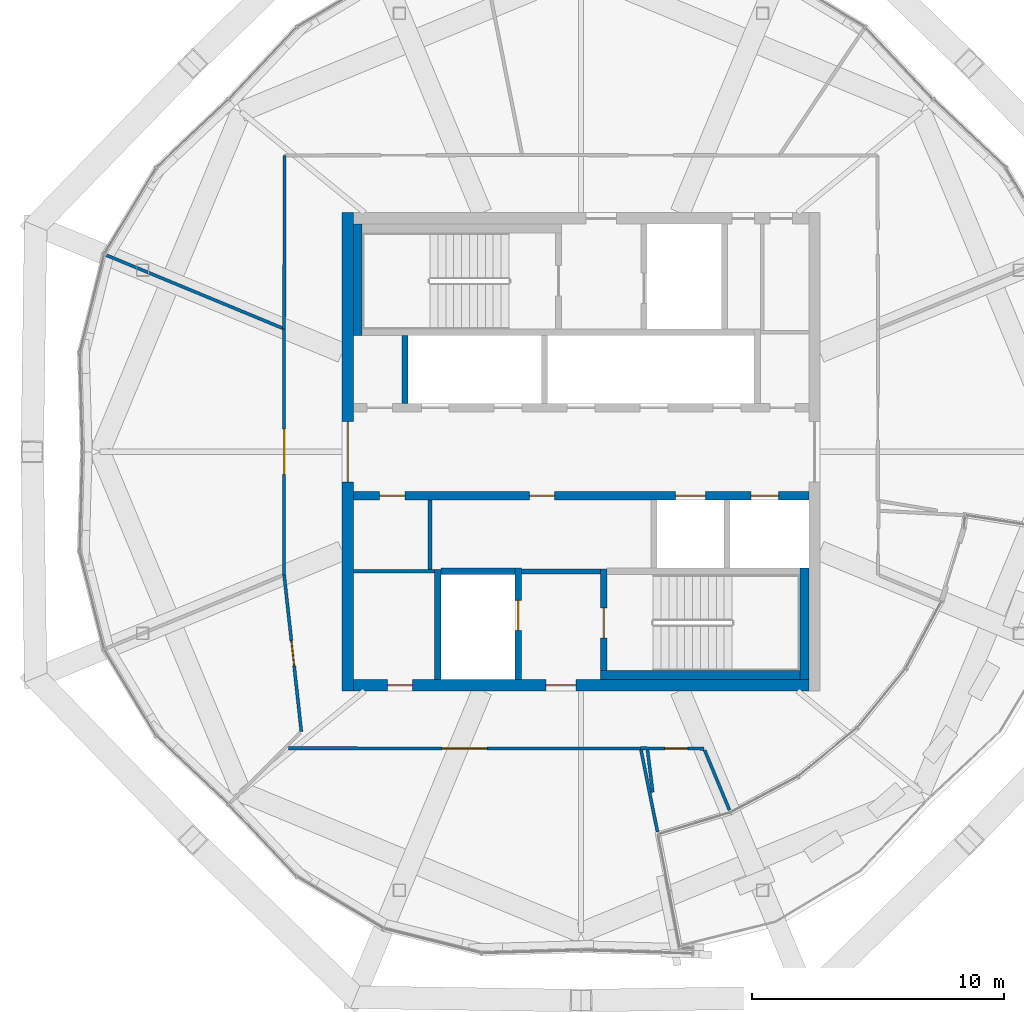
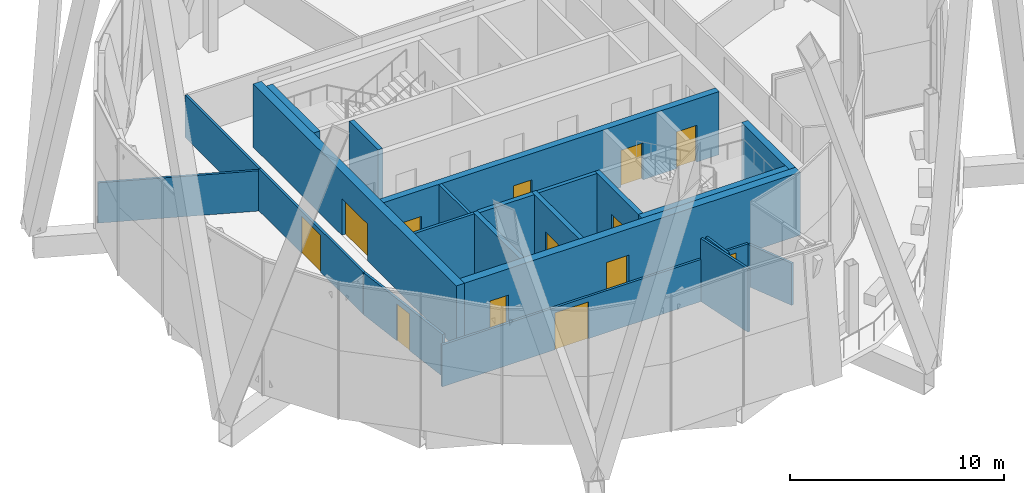
# One storey, part 45 of 53: 23 walls, 13 doors, 13 openings.
"""IFC4 building model written with IfcOpenShell, lengths in metres."""

from ifc_helpers import new_model, si_unit, direction, frame, frame_2d, origin, place, context, subcontext, project, spatial, rectangle, extrude, material, layer, layer_set, type_object, element, fill, save


model = new_model("IFC4")

# Units and contexts
model_context = context("Model", 3, precision=1e-05, world=origin(), true_north=direction((0.0, 1.0)))
body_context = subcontext(model_context, "Body", "Model", "MODEL_VIEW")
ifc_project = project(units=[si_unit("LENGTHUNIT", "METRE"), si_unit("AREAUNIT", "SQUARE_METRE"), si_unit("VOLUMEUNIT", "CUBIC_METRE"), si_unit("PLANEANGLEUNIT", "RADIAN"), si_unit("MASSUNIT", "GRAM", prefix="KILO")], contexts=[model_context])

# Site, building, storey
site_placement = place(None, origin())
site = spatial("IfcSite", under=ifc_project, at=site_placement, CompositionType="ELEMENT")
building_placement = place(site_placement, origin())
building = spatial("IfcBuilding", under=site, at=building_placement, Name="Ogive Gate Towers", CompositionType="ELEMENT")
storey_placement = place(building_placement, frame((0.0, 0.0, 240.60009765625)))
storey = spatial("IfcBuildingStorey", under=building, at=storey_placement, Name="L57", CompositionType="ELEMENT", Elevation=240.60009765625)

# Wall
ifc_material_1 = material(Name="Masonry blockwork", Category="masonry")
ifc_layer_1 = layer(ifc_material_1, 0.199951171875)
ifc_layer_set_1 = layer_set([ifc_layer_1], Name="Blockwork wall 200 mm")
wall_type_1 = type_object("IfcWallType", Name="Blockwork wall 200 mm", PredefinedType="PARTITIONING", material=ifc_layer_set_1)
wall_1_placement = place(storey_placement, frame((-38.375, -4.75, 0.0), z_axis=(0.0, 0.0, 1.0), x_axis=(1.0, 0.0, 0.0)))
element("IfcWall", 1, at=wall_1_placement, inside=storey, type_object=wall_type_1, Name="T1 L57 Blockwork wall 200 mm", PredefinedType="PARTITIONING", context=body_context, shape_type="SweptSolid", body=[
    extrude(rectangle(XDim=3.14990234375, YDim=0.199951171875, at=frame_2d((1.574951171875, 0.0))), origin(), (0.0, 0.0, 1.0), 3.599853515625),
])

# Wall, openings, doors
ifc_material_2 = material(Name="Concrete C60/75", Category="concrete")
ifc_layer_2 = layer(ifc_material_2, 0.449951171875)
ifc_layer_set_2 = layer_set([ifc_layer_2], Name="Core wall 450 mm")
wall_type_2 = type_object("IfcWallType", Name="Core wall 450 mm", PredefinedType="SHEAR", material=ifc_layer_set_2)
wall_2_placement = place(storey_placement, frame((-45.050048828125, -9.27490234375, 0.0), z_axis=(0.0, 0.0, 1.0), x_axis=(1.0, 0.0, 0.0)))
wall_2 = element("IfcWall", 2, at=wall_2_placement, inside=storey, type_object=wall_type_2, Name="T1 L57 Core wall 450 mm", PredefinedType="SHEAR", context=body_context, shape_type="SweptSolid", body=[
    extrude(rectangle(XDim=18.10009765625, YDim=0.449951171875, at=frame_2d((9.050048828125, 0.0))), origin(), (0.0, 0.0, 1.0), 3.599853515625),
])
opening_1_placement = place(wall_2_placement, frame((7.64990234375, 0.0, 0.0)))
opening_1 = element("IfcOpeningElement", 3, at=opening_1_placement, cuts=wall_2, Name="Opening KD-T1-L57-19", PredefinedType="OPENING", context=body_context, shape_type="SweptSolid", body=[
    extrude(rectangle(XDim=1.199951171875, YDim=2.10009765625, at=frame_2d((0.60009765625, 1.050048828125))), frame((0.0, 0.23486328125, 0.0), z_axis=(0.0, -1.0, 0.0), x_axis=(1.0, 0.0, 0.0)), (0.0, 0.0, 1.0), 0.469970703125),
])
opening_2_placement = place(wall_2_placement, frame((1.35009765625, 0.0, 0.0)))
opening_2 = element("IfcOpeningElement", 4, at=opening_2_placement, cuts=wall_2, Name="Opening KD-T1-L57-22", PredefinedType="OPENING", context=body_context, shape_type="SweptSolid", body=[
    extrude(rectangle(XDim=1.0, YDim=2.10009765625, at=frame_2d((0.5, 1.050048828125))), frame((0.0, 0.23486328125, 0.0), z_axis=(0.0, -1.0, 0.0), x_axis=(1.0, 0.0, 0.0)), (0.0, 0.0, 1.0), 0.469970703125),
])
ifc_material_3 = material(Name="Timber door", Category="wood")
door_type_1 = type_object("IfcDoorType", Name="Accessible WC door 1000 x 2100", OperationType="NOTDEFINED", PredefinedType="DOOR", material=ifc_material_3)
door_1_placement = place(opening_2_placement, origin())
door_1 = element("IfcDoor", 5, at=door_1_placement, inside=storey, type_object=door_type_1, Name="T1 L57 Core door", OperationType="SINGLE_SWING_LEFT", OverallHeight=2.10009765625, OverallWidth=1.0, PredefinedType="DOOR", context=body_context, shape_type="SweptSolid", body=[
    extrude(rectangle(XDim=1.0, YDim=2.10009765625, at=frame_2d((0.5, 1.050048828125))), frame((0.0, 0.02490234375, 0.0), z_axis=(0.0, -1.0, 0.0), x_axis=(1.0, 0.0, 0.0)), (0.0, 0.0, 1.0), 0.050048828125),
])
fill(opening_2, door_1)
ifc_material_4 = material(Name="Steel fire door", Category="steel")
door_type_2 = type_object("IfcDoorType", Name="Core door FD60S 1200 x 2100", OperationType="NOTDEFINED", PredefinedType="DOOR", material=ifc_material_4)
door_2_placement = place(opening_1_placement, origin())
door_2 = element("IfcDoor", 6, at=door_2_placement, inside=storey, type_object=door_type_2, Name="T1 L57 Fire-fighting lobby door", OperationType="SINGLE_SWING_RIGHT", OverallHeight=2.10009765625, OverallWidth=1.199951171875, PredefinedType="DOOR", context=body_context, shape_type="SweptSolid", body=[
    extrude(rectangle(XDim=1.199951171875, YDim=2.10009765625, at=frame_2d((0.60009765625, 1.050048828125))), frame((0.0, 0.02490234375, 0.0), z_axis=(0.0, -1.0, 0.0), x_axis=(1.0, 0.0, 0.0)), (0.0, 0.0, 1.0), 0.050048828125),
])
fill(opening_1, door_2)

# Wall, opening, door
wall_3_placement = place(storey_placement, frame((-45.27490234375, -9.5, 0.0), z_axis=(0.0, 0.0, 1.0), x_axis=(0.0, 1.0, 0.0)))
wall_3 = element("IfcWall", 7, at=wall_3_placement, inside=storey, type_object=wall_type_2, Name="T1 L57 Core wall 450 mm", PredefinedType="SHEAR", context=body_context, shape_type="SweptSolid", body=[
    extrude(rectangle(XDim=19.0, YDim=0.449951171875, at=frame_2d((9.5, 0.0))), origin(), (0.0, 0.0, 1.0), 3.599853515625),
])
opening_3_placement = place(wall_3_placement, frame((8.300048828125, 0.0, 0.0)))
opening_3 = element("IfcOpeningElement", 8, at=opening_3_placement, cuts=wall_3, Name="Opening KD-T1-L57-01", PredefinedType="OPENING", context=body_context, shape_type="SweptSolid", body=[
    extrude(rectangle(XDim=2.39990234375, YDim=2.10009765625, at=frame_2d((1.199951171875, 1.050048828125))), frame((0.0, 0.23486328125, 0.0), z_axis=(0.0, -1.0, 0.0), x_axis=(1.0, 0.0, 0.0)), (0.0, 0.0, 1.0), 0.469970703125),
])
door_type_3 = type_object("IfcDoorType", Name="Core double door FD60S 2400 x 2100", OperationType="DOUBLE_DOOR_SINGLE_SWING", PredefinedType="DOOR", material=ifc_material_4)
door_3_placement = place(opening_3_placement, origin())
door_3 = element("IfcDoor", 9, at=door_3_placement, inside=storey, type_object=door_type_3, Name="T1 L57 Core door double", OperationType="DOUBLE_DOOR_SINGLE_SWING", OverallHeight=2.10009765625, OverallWidth=2.39990234375, PredefinedType="DOOR", context=body_context, shape_type="SweptSolid", body=[
    extrude(rectangle(XDim=2.39990234375, YDim=2.10009765625, at=frame_2d((1.199951171875, 1.050048828125))), frame((0.0, 0.02490234375, 0.0), z_axis=(0.0, -1.0, 0.0), x_axis=(1.0, 0.0, 0.0)), (0.0, 0.0, 1.0), 0.050048828125),
])
fill(opening_3, door_3)

# Walls
ifc_material_5 = material(Name="Gypsum board partition")
ifc_layer_3 = layer(ifc_material_5, 0.125)
ifc_layer_set_3 = layer_set([ifc_layer_3], Name="Partition 125")
wall_type_3 = type_object("IfcWallType", Name="Partition 125", PredefinedType="PARTITIONING", material=ifc_layer_set_3)
wall_4_placement = place(storey_placement, frame((-54.8564453125, 7.810546875, 0.0), z_axis=(0.0, 0.0, 1.0), x_axis=(0.923878587447, -0.382685713945, 0.0)))
element("IfcWall", 10, at=wall_4_placement, inside=storey, type_object=wall_type_3, Name="Partition T1-L57-004", PredefinedType="PARTITIONING", context=body_context, shape_type="SweptSolid", body=[
    extrude(rectangle(XDim=7.576416015625, YDim=0.125, at=frame_2d((3.7880859375, 0.0))), origin(), (0.0, 0.0, 1.0), 2.2998046875),
])
wall_5_placement = place(storey_placement, frame((-32.962890625, -15.10400390625, 0.0), z_axis=(0.0, 0.0, 1.0), x_axis=(-0.197132233562, 0.980376908383, 0.0)))
element("IfcWall", 11, at=wall_5_placement, inside=storey, type_object=wall_type_3, Name="Partition T1-L57-007", PredefinedType="PARTITIONING", context=body_context, shape_type="SweptSolid", body=[
    extrude(rectangle(XDim=3.326416015625, YDim=0.125, at=frame_2d((1.6630859375, 0.0))), origin(), (0.0, 0.0, 1.0), 3.599853515625),
])
wall_6_placement = place(storey_placement, frame((-33.151123046875, -13.53076171875, 0.0), z_axis=(0.0, 0.0, 1.0), x_axis=(-0.123553948047, 0.992337856741, 0.0)))
element("IfcWall", 12, at=wall_6_placement, inside=storey, type_object=wall_type_3, Name="Partition T1-L57-008", PredefinedType="PARTITIONING", context=body_context, shape_type="SweptSolid", body=[
    extrude(rectangle(XDim=1.6875, YDim=0.125, at=frame_2d((0.84375, 0.0))), origin(), (0.0, 0.0, 1.0), 3.599853515625),
])
wall_7_placement = place(storey_placement, frame((-30.10302734375, -14.236572265625, 0.0), z_axis=(0.0, 0.0, 1.0), x_axis=(-0.382717220603, 0.923865536241, 0.0)))
element("IfcWall", 13, at=wall_7_placement, inside=storey, type_object=wall_type_3, Name="Partition T1-L57-009", PredefinedType="PARTITIONING", context=body_context, shape_type="SweptSolid", body=[
    extrude(rectangle(XDim=2.576416015625, YDim=0.125, at=frame_2d((1.2880859375, 0.0))), origin(), (0.0, 0.0, 1.0), 2.39990234375),
])

# Wall, opening, door
wall_8_placement = place(storey_placement, frame((-31.113037109375, -11.79833984375, 0.0), z_axis=(0.0, 0.0, 1.0), x_axis=(-0.999977623129, 0.006689786309, 0.0)))
wall_8 = element("IfcWall", 14, at=wall_8_placement, inside=storey, type_object=wall_type_3, Name="Partition T1-L57-014", PredefinedType="PARTITIONING", context=body_context, shape_type="SweptSolid", body=[
    extrude(rectangle(XDim=2.51806640625, YDim=0.125, at=frame_2d((1.259033203125, 0.0))), origin(), (0.0, 0.0, 1.0), 2.39990234375),
])
opening_4_placement = place(wall_8_placement, frame((0.656982421875, 0.0, 0.0)))
opening_4 = element("IfcOpeningElement", 15, at=opening_4_placement, cuts=wall_8, Name="Opening T1-L57-D02", PredefinedType="OPENING", context=body_context, shape_type="SweptSolid", body=[
    extrude(rectangle(XDim=0.89990234375, YDim=2.10009765625, at=frame_2d((0.449951171875, 1.050048828125))), frame((0.0, 0.072509765625, 0.0), z_axis=(0.0, -1.0, 0.0), x_axis=(1.0, 0.0, 0.0)), (0.0, 0.0, 1.0), 0.14501953125),
])
door_type_4 = type_object("IfcDoorType", Name="Door 900", OperationType="NOTDEFINED", PredefinedType="DOOR", material=ifc_material_3)
door_4_placement = place(opening_4_placement, origin())
door_4 = element("IfcDoor", 16, at=door_4_placement, inside=storey, type_object=door_type_4, Name="Door T1-L57-D02", OperationType="SINGLE_SWING_LEFT", OverallHeight=2.10009765625, OverallWidth=0.89990234375, PredefinedType="DOOR", context=body_context, shape_type="SweptSolid", body=[
    extrude(rectangle(XDim=0.89990234375, YDim=2.10009765625, at=frame_2d((0.449951171875, 1.050048828125))), frame((0.0, 0.02490234375, 0.0), z_axis=(0.0, -1.0, 0.0), x_axis=(1.0, 0.0, 0.0)), (0.0, 0.0, 1.0), 0.050048828125),
])
fill(opening_4, door_4)

wall_9_placement = place(storey_placement, frame((-33.641357421875, -11.794921875, 0.0), z_axis=(0.0, 0.0, 1.0), x_axis=(-0.999999450889, 0.001047961139, 0.0)))
wall_9 = element("IfcWall", 17, at=wall_9_placement, inside=storey, type_object=wall_type_3, Name="Partition T1-L57-015", PredefinedType="PARTITIONING", context=body_context, shape_type="SweptSolid", body=[
    extrude(rectangle(XDim=13.97802734375, YDim=0.125, at=frame_2d((6.989013671875, 0.0))), origin(), (0.0, 0.0, 1.0), 2.39990234375),
])
opening_5_placement = place(wall_9_placement, frame((6.093017578125, 0.0, 0.0)))
opening_5 = element("IfcOpeningElement", 18, at=opening_5_placement, cuts=wall_9, Name="Opening T1-L57-D03", PredefinedType="OPENING", context=body_context, shape_type="SweptSolid", body=[
    extrude(rectangle(XDim=1.800048828125, YDim=2.10009765625, at=frame_2d((0.89990234375, 1.050048828125))), frame((0.0, 0.072509765625, 0.0), z_axis=(0.0, -1.0, 0.0), x_axis=(1.0, 0.0, 0.0)), (0.0, 0.0, 1.0), 0.14501953125),
])
door_type_5 = type_object("IfcDoorType", Name="Door pair 1800", OperationType="NOTDEFINED", PredefinedType="DOOR", material=ifc_material_3)
door_5_placement = place(opening_5_placement, origin())
door_5 = element("IfcDoor", 19, at=door_5_placement, inside=storey, type_object=door_type_5, Name="Door T1-L57-D03", OperationType="DOUBLE_DOOR_DOUBLE_SWING", OverallHeight=2.10009765625, OverallWidth=1.800048828125, PredefinedType="DOOR", context=body_context, shape_type="SweptSolid", body=[
    extrude(rectangle(XDim=1.800048828125, YDim=2.10009765625, at=frame_2d((0.89990234375, 1.050048828125))), frame((0.0, 0.02490234375, 0.0), z_axis=(0.0, -1.0, 0.0), x_axis=(1.0, 0.0, 0.0)), (0.0, 0.0, 1.0), 0.050048828125),
])
fill(opening_5, door_5)

wall_10_placement = place(storey_placement, frame((-47.11572265625, -11.11572265625, 0.0), z_axis=(0.0, 0.0, 1.0), x_axis=(-0.10905867218, 0.994035314273, 0.0)))
wall_10 = element("IfcWall", 20, at=wall_10_placement, inside=storey, type_object=wall_type_3, Name="Partition T1-L57-016", PredefinedType="PARTITIONING", context=body_context, shape_type="SweptSolid", body=[
    extrude(rectangle(XDim=6.265869140625, YDim=0.125, at=frame_2d((3.1328125, 0.0))), origin(), (0.0, 0.0, 1.0), 2.39990234375),
])
opening_6_placement = place(wall_10_placement, frame((2.633056640625, 0.0, 0.0)))
opening_6 = element("IfcOpeningElement", 21, at=opening_6_placement, cuts=wall_10, Name="Opening T1-L57-D04", PredefinedType="OPENING", context=body_context, shape_type="SweptSolid", body=[
    extrude(rectangle(XDim=1.0, YDim=2.10009765625, at=frame_2d((0.5, 1.050048828125))), frame((0.0, 0.072509765625, 0.0), z_axis=(0.0, -1.0, 0.0), x_axis=(1.0, 0.0, 0.0)), (0.0, 0.0, 1.0), 0.14501953125),
])
door_type_6 = type_object("IfcDoorType", Name="Door 1000", OperationType="NOTDEFINED", PredefinedType="DOOR", material=ifc_material_3)
door_6_placement = place(opening_6_placement, origin())
door_6 = element("IfcDoor", 22, at=door_6_placement, inside=storey, type_object=door_type_6, Name="Door T1-L57-D04", OperationType="SINGLE_SWING_LEFT", OverallHeight=2.10009765625, OverallWidth=1.0, PredefinedType="DOOR", context=body_context, shape_type="SweptSolid", body=[
    extrude(rectangle(XDim=1.0, YDim=2.10009765625, at=frame_2d((0.5, 1.050048828125))), frame((0.0, 0.02490234375, 0.0), z_axis=(0.0, -1.0, 0.0), x_axis=(1.0, 0.0, 0.0)), (0.0, 0.0, 1.0), 0.050048828125),
])
fill(opening_6, door_6)

wall_11_placement = place(storey_placement, frame((-47.799072265625, -4.88720703125, 0.0), z_axis=(0.0, 0.0, 1.0), x_axis=(0.0, 1.0, 0.0)))
wall_11 = element("IfcWall", 23, at=wall_11_placement, inside=storey, type_object=wall_type_3, Name="Partition T1-L57-017", PredefinedType="PARTITIONING", context=body_context, shape_type="SweptSolid", body=[
    extrude(rectangle(XDim=9.7744140625, YDim=0.125, at=frame_2d((4.88720703125, 0.0))), origin(), (0.0, 0.0, 1.0), 2.39990234375),
])
opening_7_placement = place(wall_11_placement, frame((3.987060546875, 0.0, 0.0)))
opening_7 = element("IfcOpeningElement", 24, at=opening_7_placement, cuts=wall_11, Name="Opening T1-L57-D05", PredefinedType="OPENING", context=body_context, shape_type="SweptSolid", body=[
    extrude(rectangle(XDim=1.800048828125, YDim=2.10009765625, at=frame_2d((0.89990234375, 1.050048828125))), frame((0.0, 0.072509765625, 0.0), z_axis=(0.0, -1.0, 0.0), x_axis=(1.0, 0.0, 0.0)), (0.0, 0.0, 1.0), 0.14501953125),
])
door_7_placement = place(opening_7_placement, origin())
door_7 = element("IfcDoor", 25, at=door_7_placement, inside=storey, type_object=door_type_5, Name="Door T1-L57-D05", OperationType="DOUBLE_DOOR_DOUBLE_SWING", OverallHeight=2.10009765625, OverallWidth=1.800048828125, PredefinedType="DOOR", context=body_context, shape_type="SweptSolid", body=[
    extrude(rectangle(XDim=1.800048828125, YDim=2.10009765625, at=frame_2d((0.89990234375, 1.050048828125))), frame((0.0, 0.02490234375, 0.0), z_axis=(0.0, -1.0, 0.0), x_axis=(1.0, 0.0, 0.0)), (0.0, 0.0, 1.0), 0.050048828125),
])
fill(opening_7, door_7)

# Walls
wall_12_placement = place(storey_placement, frame((-47.799072265625, 4.88720703125, 0.0), z_axis=(0.0, 0.0, 1.0), x_axis=(0.002762713928, 0.999996183699, 0.0)))
element("IfcWall", 26, at=wall_12_placement, inside=storey, type_object=wall_type_3, Name="Partition T1-L57-019", PredefinedType="PARTITIONING", context=body_context, shape_type="SweptSolid", body=[
    extrude(rectangle(XDim=6.892822265625, YDim=0.125, at=frame_2d((3.4462890625, 0.0))), origin(), (0.0, 0.0, 1.0), 2.39990234375),
])
ifc_layer_4 = layer(ifc_material_5, 0.14990234375)
ifc_layer_set_4 = layer_set([ifc_layer_4], Name="Room partition 150 mm")
wall_type_4 = type_object("IfcWallType", Name="Room partition 150 mm", PredefinedType="PARTITIONING", material=ifc_layer_set_4)
wall_13_placement = place(storey_placement, frame((-45.050048828125, -4.75, 0.0), z_axis=(0.0, 0.0, 1.0), x_axis=(1.0, 0.0, 0.0)))
element("IfcWall", 27, at=wall_13_placement, inside=storey, type_object=wall_type_4, Name="T1 L57 Room partition 150 mm", PredefinedType="PARTITIONING", context=body_context, shape_type="SweptSolid", body=[
    extrude(rectangle(XDim=3.22509765625, YDim=0.14990234375, at=frame_2d((1.612548828125, 0.0))), origin(), (0.0, 0.0, 1.0), 3.599853515625),
])
wall_14_placement = place(storey_placement, frame((-42.0, -4.675048828125, 0.0), z_axis=(0.0, 0.0, 1.0), x_axis=(0.0, 1.0, 0.0)))
element("IfcWall", 28, at=wall_14_placement, inside=storey, type_object=wall_type_4, Name="T1 L57 Room partition 150 mm", PredefinedType="PARTITIONING", context=body_context, shape_type="SweptSolid", body=[
    extrude(rectangle(XDim=2.75, YDim=0.14990234375, at=frame_2d((1.375, 0.0))), origin(), (0.0, 0.0, 1.0), 3.599853515625),
])
ifc_layer_5 = layer(ifc_material_2, 0.25)
ifc_layer_set_5 = layer_set([ifc_layer_5], Name="Shaft wall 250 mm")
wall_type_5 = type_object("IfcWallType", Name="Shaft wall 250 mm", PredefinedType="SHEAR", material=ifc_layer_set_5)
wall_15_placement = place(storey_placement, frame((-41.574951171875, -4.75, 0.0), z_axis=(0.0, 0.0, 1.0), x_axis=(1.0, 0.0, 0.0)))
element("IfcWall", 29, at=wall_15_placement, inside=storey, type_object=wall_type_5, Name="T1 L57 Shaft wall 250 mm", PredefinedType="SHEAR", context=body_context, shape_type="SweptSolid", body=[
    extrude(rectangle(XDim=2.949951171875, YDim=0.25, at=frame_2d((1.47509765625, 0.0))), origin(), (0.0, 0.0, 1.0), 3.599853515625),
])
wall_16_placement = place(storey_placement, frame((-43.0, 1.925048828125, 0.0), z_axis=(0.0, 0.0, 1.0), x_axis=(0.0, 1.0, 0.0)))
element("IfcWall", 30, at=wall_16_placement, inside=storey, type_object=wall_type_5, Name="T1 L57 Shaft wall 250 mm", PredefinedType="SHEAR", context=body_context, shape_type="SweptSolid", body=[
    extrude(rectangle(XDim=2.699951171875, YDim=0.25, at=frame_2d((1.35009765625, 0.0))), origin(), (0.0, 0.0, 1.0), 3.599853515625),
])
wall_17_placement = place(storey_placement, frame((-41.699951171875, -9.050048828125, 0.0), z_axis=(0.0, 0.0, 1.0), x_axis=(0.0, 1.0, 0.0)))
element("IfcWall", 31, at=wall_17_placement, inside=storey, type_object=wall_type_5, Name="T1 L57 Shaft wall 250 mm", PredefinedType="SHEAR", context=body_context, shape_type="SweptSolid", body=[
    extrude(rectangle(XDim=4.375, YDim=0.25, at=frame_2d((2.1875, 0.0))), origin(), (0.0, 0.0, 1.0), 3.599853515625),
])

# Wall, opening, door
wall_18_placement = place(storey_placement, frame((-38.5, -9.050048828125, 0.0), z_axis=(0.0, 0.0, 1.0), x_axis=(0.0, 1.0, 0.0)))
wall_18 = element("IfcWall", 32, at=wall_18_placement, inside=storey, type_object=wall_type_5, Name="T1 L57 Shaft wall 250 mm", PredefinedType="SHEAR", context=body_context, shape_type="SweptSolid", body=[
    extrude(rectangle(XDim=4.425048828125, YDim=0.25, at=frame_2d((2.21240234375, 0.0))), origin(), (0.0, 0.0, 1.0), 3.599853515625),
])
opening_8_placement = place(wall_18_placement, frame((1.949951171875, 0.0, 0.0)))
opening_8 = element("IfcOpeningElement", 33, at=opening_8_placement, cuts=wall_18, Name="Opening LD-T1-L57-13", PredefinedType="OPENING", context=body_context, shape_type="SweptSolid", body=[
    extrude(rectangle(XDim=1.199951171875, YDim=2.10009765625, at=frame_2d((0.60009765625, 1.050048828125))), frame((0.0, 0.135009765625, 0.0), z_axis=(0.0, -1.0, 0.0), x_axis=(1.0, 0.0, 0.0)), (0.0, 0.0, 1.0), 0.27001953125),
])
ifc_material_6 = material(Name="Stainless steel landing door", Category="steel")
door_type_7 = type_object("IfcDoorType", Name="Landing door 1200 x 2100", OperationType="SLIDING_TO_LEFT", PredefinedType="DOOR", material=ifc_material_6)
door_8_placement = place(opening_8_placement, origin())
door_8 = element("IfcDoor", 34, at=door_8_placement, inside=storey, type_object=door_type_7, Name="T1 L57 Lift landing door FF2", OperationType="SLIDING_TO_LEFT", OverallHeight=2.10009765625, OverallWidth=1.199951171875, PredefinedType="DOOR", context=body_context, shape_type="SweptSolid", body=[
    extrude(rectangle(XDim=1.199951171875, YDim=2.10009765625, at=frame_2d((0.60009765625, 1.050048828125))), frame((0.0, 0.02490234375, 0.0), z_axis=(0.0, -1.0, 0.0), x_axis=(1.0, 0.0, 0.0)), (0.0, 0.0, 1.0), 0.050048828125),
])
fill(opening_8, door_8)

wall_19_placement = place(storey_placement, frame((-35.10009765625, -8.699951171875, 0.0), z_axis=(0.0, 0.0, 1.0), x_axis=(0.0, 1.0, 0.0)))
wall_19 = element("IfcWall", 35, at=wall_19_placement, inside=storey, type_object=wall_type_5, Name="T1 L57 Shaft wall 250 mm", PredefinedType="SHEAR", context=body_context, shape_type="SweptSolid", body=[
    extrude(rectangle(XDim=4.050048828125, YDim=0.25, at=frame_2d((2.02490234375, 0.0))), origin(), (0.0, 0.0, 1.0), 3.599853515625),
])
opening_9_placement = place(wall_19_placement, frame((1.300048828125, 0.0, 0.0)))
opening_9 = element("IfcOpeningElement", 36, at=opening_9_placement, cuts=wall_19, Name="Opening KD-T1-L57-17", PredefinedType="OPENING", context=body_context, shape_type="SweptSolid", body=[
    extrude(rectangle(XDim=1.199951171875, YDim=2.10009765625, at=frame_2d((0.60009765625, 1.050048828125))), frame((0.0, 0.135009765625, 0.0), z_axis=(0.0, -1.0, 0.0), x_axis=(1.0, 0.0, 0.0)), (0.0, 0.0, 1.0), 0.27001953125),
])
door_9_placement = place(opening_9_placement, origin())
door_9 = element("IfcDoor", 37, at=door_9_placement, inside=storey, type_object=door_type_2, Name="T1 L57 Stair door", OperationType="SINGLE_SWING_RIGHT", OverallHeight=2.10009765625, OverallWidth=1.199951171875, PredefinedType="DOOR", context=body_context, shape_type="SweptSolid", body=[
    extrude(rectangle(XDim=1.199951171875, YDim=2.10009765625, at=frame_2d((0.60009765625, 1.050048828125))), frame((0.0, 0.02490234375, 0.0), z_axis=(0.0, -1.0, 0.0), x_axis=(1.0, 0.0, 0.0)), (0.0, 0.0, 1.0), 0.050048828125),
])
fill(opening_9, door_9)

# Wall, openings, doors
ifc_layer_6 = layer(ifc_material_2, 0.35009765625)
ifc_layer_set_6 = layer_set([ifc_layer_6], Name="Spine wall 350 mm")
wall_type_6 = type_object("IfcWallType", Name="Spine wall 350 mm", PredefinedType="SHEAR", material=ifc_layer_set_6)
wall_20_placement = place(storey_placement, frame((-45.050048828125, -1.75, 0.0), z_axis=(0.0, 0.0, 1.0), x_axis=(1.0, 0.0, 0.0)))
wall_20 = element("IfcWall", 38, at=wall_20_placement, inside=storey, type_object=wall_type_6, Name="T1 L57 Spine wall 350 mm", PredefinedType="SHEAR", context=body_context, shape_type="SweptSolid", body=[
    extrude(rectangle(XDim=18.10009765625, YDim=0.35009765625, at=frame_2d((9.050048828125, 0.0))), origin(), (0.0, 0.0, 1.0), 3.599853515625),
])
opening_10_placement = place(wall_20_placement, frame((12.800048828125, 0.0, 0.0)))
opening_10 = element("IfcOpeningElement", 39, at=opening_10_placement, cuts=wall_20, Name="Opening LD-T1-L57-10", PredefinedType="OPENING", context=body_context, shape_type="SweptSolid", body=[
    extrude(rectangle(XDim=1.199951171875, YDim=2.10009765625, at=frame_2d((0.60009765625, 1.050048828125))), frame((0.0, 0.18505859375, 0.0), z_axis=(0.0, -1.0, 0.0), x_axis=(1.0, 0.0, 0.0)), (0.0, 0.0, 1.0), 0.3701171875),
])
opening_11_placement = place(wall_20_placement, frame((15.800048828125, 0.0, 0.0)))
opening_11 = element("IfcOpeningElement", 40, at=opening_11_placement, cuts=wall_20, Name="Opening LD-T1-L57-11", PredefinedType="OPENING", context=body_context, shape_type="SweptSolid", body=[
    extrude(rectangle(XDim=1.10009765625, YDim=2.10009765625, at=frame_2d((0.550048828125, 1.050048828125))), frame((0.0, 0.18505859375, 0.0), z_axis=(0.0, -1.0, 0.0), x_axis=(1.0, 0.0, 0.0)), (0.0, 0.0, 1.0), 0.3701171875),
])
opening_12_placement = place(wall_20_placement, frame((1.050048828125, 0.0, 0.0)))
opening_12 = element("IfcOpeningElement", 41, at=opening_12_placement, cuts=wall_20, Name="Opening KD-T1-L57-14", PredefinedType="OPENING", context=body_context, shape_type="SweptSolid", body=[
    extrude(rectangle(XDim=1.0, YDim=2.10009765625, at=frame_2d((0.5, 1.050048828125))), frame((0.0, 0.18505859375, 0.0), z_axis=(0.0, -1.0, 0.0), x_axis=(1.0, 0.0, 0.0)), (0.0, 0.0, 1.0), 0.3701171875),
])
opening_13_placement = place(wall_20_placement, frame((7.0, 0.0, 0.0)))
opening_13 = element("IfcOpeningElement", 42, at=opening_13_placement, cuts=wall_20, Name="Opening KD-T1-L57-15", PredefinedType="OPENING", context=body_context, shape_type="SweptSolid", body=[
    extrude(rectangle(XDim=1.0, YDim=2.10009765625, at=frame_2d((0.5, 1.050048828125))), frame((0.0, 0.18505859375, 0.0), z_axis=(0.0, -1.0, 0.0), x_axis=(1.0, 0.0, 0.0)), (0.0, 0.0, 1.0), 0.3701171875),
])
door_type_8 = type_object("IfcDoorType", Name="Core door FD60S 1000 x 2100", OperationType="NOTDEFINED", PredefinedType="DOOR", material=ifc_material_4)
door_10_placement = place(opening_12_placement, origin())
door_10 = element("IfcDoor", 43, at=door_10_placement, inside=storey, type_object=door_type_8, Name="T1 L57 Core door", OperationType="SINGLE_SWING_LEFT", OverallHeight=2.10009765625, OverallWidth=1.0, PredefinedType="DOOR", context=body_context, shape_type="SweptSolid", body=[
    extrude(rectangle(XDim=1.0, YDim=2.10009765625, at=frame_2d((0.5, 1.050048828125))), frame((0.0, 0.02490234375, 0.0), z_axis=(0.0, -1.0, 0.0), x_axis=(1.0, 0.0, 0.0)), (0.0, 0.0, 1.0), 0.050048828125),
])
fill(opening_12, door_10)
door_11_placement = place(opening_13_placement, origin())
door_11 = element("IfcDoor", 44, at=door_11_placement, inside=storey, type_object=door_type_8, Name="T1 L57 Core door", OperationType="SINGLE_SWING_RIGHT", OverallHeight=2.10009765625, OverallWidth=1.0, PredefinedType="DOOR", context=body_context, shape_type="SweptSolid", body=[
    extrude(rectangle(XDim=1.0, YDim=2.10009765625, at=frame_2d((0.5, 1.050048828125))), frame((0.0, 0.02490234375, 0.0), z_axis=(0.0, -1.0, 0.0), x_axis=(1.0, 0.0, 0.0)), (0.0, 0.0, 1.0), 0.050048828125),
])
fill(opening_13, door_11)
door_type_9 = type_object("IfcDoorType", Name="Landing door 1100 x 2100", OperationType="SLIDING_TO_LEFT", PredefinedType="DOOR", material=ifc_material_6)
door_12_placement = place(opening_11_placement, origin())
door_12 = element("IfcDoor", 45, at=door_12_placement, inside=storey, type_object=door_type_9, Name="T1 L57 Lift landing door B6", OperationType="SLIDING_TO_LEFT", OverallHeight=2.10009765625, OverallWidth=1.10009765625, PredefinedType="DOOR", context=body_context, shape_type="SweptSolid", body=[
    extrude(rectangle(XDim=1.10009765625, YDim=2.10009765625, at=frame_2d((0.550048828125, 1.050048828125))), frame((0.0, 0.02490234375, 0.0), z_axis=(0.0, -1.0, 0.0), x_axis=(1.0, 0.0, 0.0)), (0.0, 0.0, 1.0), 0.050048828125),
])
fill(opening_11, door_12)
door_13_placement = place(opening_10_placement, origin())
door_13 = element("IfcDoor", 46, at=door_13_placement, inside=storey, type_object=door_type_7, Name="T1 L57 Lift landing door SVC", OperationType="SLIDING_TO_LEFT", OverallHeight=2.10009765625, OverallWidth=1.199951171875, PredefinedType="DOOR", context=body_context, shape_type="SweptSolid", body=[
    extrude(rectangle(XDim=1.199951171875, YDim=2.10009765625, at=frame_2d((0.60009765625, 1.050048828125))), frame((0.0, 0.02490234375, 0.0), z_axis=(0.0, -1.0, 0.0), x_axis=(1.0, 0.0, 0.0)), (0.0, 0.0, 1.0), 0.050048828125),
])
fill(opening_10, door_13)

# Walls
ifc_layer_7 = layer(ifc_material_2, 0.35009765625)
ifc_layer_set_7 = layer_set([ifc_layer_7], Name="Stair wall 350 mm")
wall_type_7 = type_object("IfcWallType", Name="Stair wall 350 mm", PredefinedType="SHEAR", material=ifc_layer_set_7)
wall_21_placement = place(storey_placement, frame((-35.22509765625, -8.875, 0.0), z_axis=(0.0, 0.0, 1.0), x_axis=(1.0, 0.0, 0.0)))
element("IfcWall", 47, at=wall_21_placement, inside=storey, type_object=wall_type_7, Name="T1 L57 Stair wall 350 mm", PredefinedType="SHEAR", context=body_context, shape_type="SweptSolid", body=[
    extrude(rectangle(XDim=7.925048828125, YDim=0.35009765625, at=frame_2d((3.96240234375, 0.0))), origin(), (0.0, 0.0, 1.0), 3.599853515625),
])
for number, where, z_axis, x_axis, name in (
    (48, (-44.875, 4.625, 0.0), (0.0, 0.0, 1.0), (0.0, 1.0, 0.0), "T1 L57 Stair wall 350 mm"),
    (49, (-27.125, -9.050048828125, 0.0), (0.0, 0.0, 1.0), (0.0, 1.0, 0.0), "T1 L57 Stair wall 350 mm"),
):
    element("IfcWall", number, at=place(storey_placement, frame(where, z_axis=z_axis, x_axis=x_axis)), inside=storey, type_object=wall_type_7, Name=name, PredefinedType="SHEAR", context=body_context, shape_type="SweptSolid", body=[
        extrude(rectangle(XDim=4.425048828125, YDim=0.35009765625, at=frame_2d((2.21240234375, 0.0))), origin(), (0.0, 0.0, 1.0), 3.599853515625),
    ])

save(model, "model.ifc")
